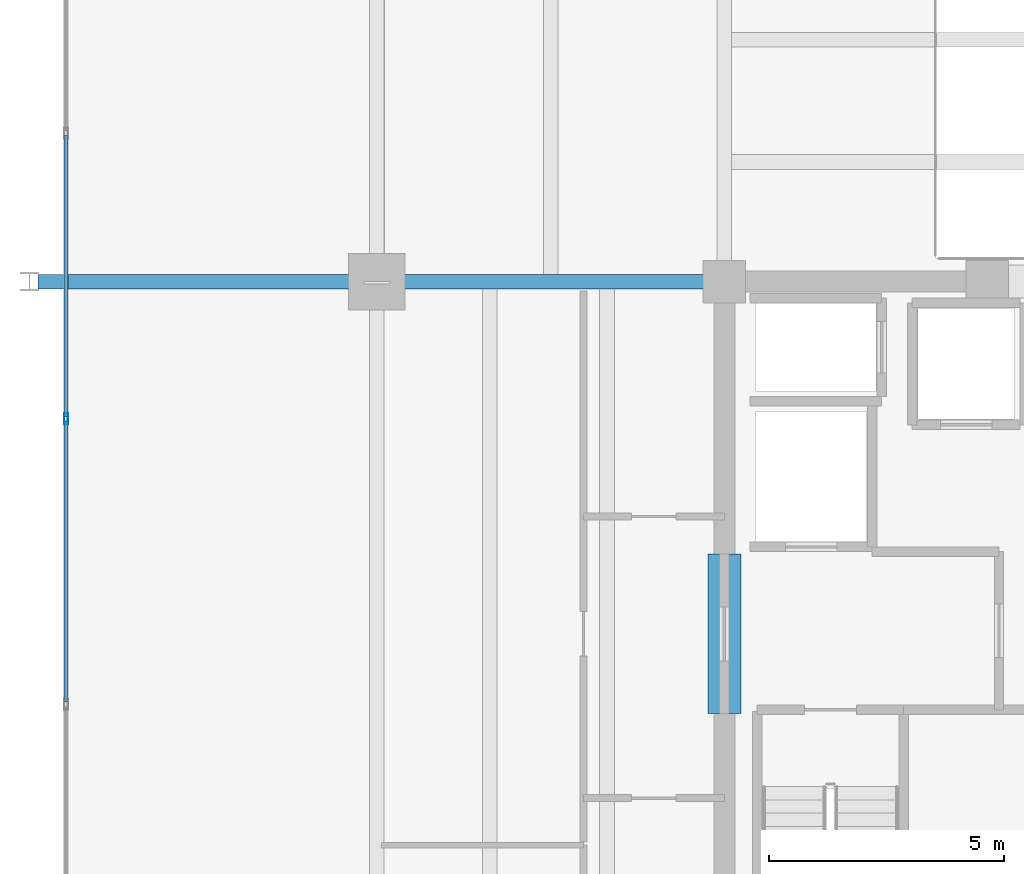
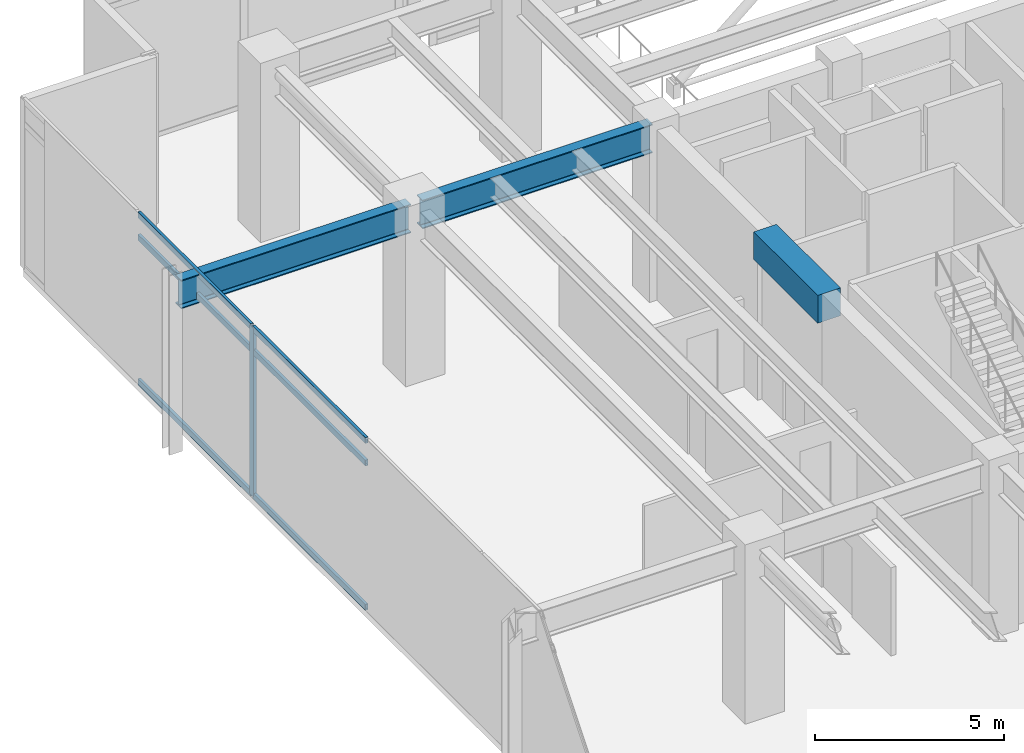
# One storey, part 7 of 25: 7 members, 3 beams, 1 element without a shape of its own.
"""IFC4 building model written with IfcOpenShell, lengths in metres."""

import ifcopenshell
import ifcopenshell.guid

model = None  # the IFC model being written
_history = None  # IfcOwnerHistory: only IFC2X3 demands one
_inside = {}  # id of a spatial element -> (the spatial element, [elements in it])
_under = {}  # id of a project, library or spatial element -> (it, [spatial elements below it])
_declared = {}  # id of a project -> (the project, [libraries it declares])
_typed = {}  # id of a type object -> (the type object, [elements of that type])
_made_of = {}  # id of a material, layer set ... -> (it, [elements and type objects made of it])


def new_model(schema):
    """Start an empty IFC model of exactly this schema.

    Asked for "IFC4X3", IfcOpenShell would pick the latest addendum, in which some entities
    have other attributes; the version numbers below select the first issue.
    IFC2X3 requires an IfcOwnerHistory on every rooted entity: one is made here for all.
    """
    global model, _history
    if schema == "IFC4X3":
        model = ifcopenshell.file(schema_version=(4, 3, 0, 0))
    else:
        model = ifcopenshell.file(schema=schema)
    _inside.clear()
    _under.clear()
    _declared.clear()
    _typed.clear()
    _made_of.clear()
    _history = None
    if model.schema == "IFC2X3":
        org = make("IfcOrganization", Name="unknown")
        user = make(
            "IfcPersonAndOrganization",
            ThePerson=make("IfcPerson", FamilyName="unknown"),
            TheOrganization=org,
        )
        app = make(
            "IfcApplication",
            ApplicationDeveloper=org,
            Version="unknown",
            ApplicationFullName="unknown",
            ApplicationIdentifier="unknown",
        )
        _history = make(
            "IfcOwnerHistory",
            OwningUser=user,
            OwningApplication=app,
            ChangeAction="ADDED",
            CreationDate=0,
        )
    return model


def make(cls, **values):
    """One entity of the class cls with the attributes given. An attribute that is None is left unset."""
    return model.create_entity(
        cls, **{name: value for name, value in values.items() if value is not None}
    )


def rooted(cls, **values):
    """An entity with a GlobalId (a new one), such as an element, a storey or a relation."""
    return make(cls, GlobalId=ifcopenshell.guid.new(), OwnerHistory=_history, **values)


def si_unit(unit_type, name, prefix=None):
    """IfcSIUnit, for example si_unit("LENGTHUNIT", "METRE", prefix="MILLI")."""
    return make("IfcSIUnit", UnitType=unit_type, Prefix=prefix, Name=name)


def assignment(units):
    """IfcUnitAssignment: the units of a project."""
    return None if units is None else make("IfcUnitAssignment", Units=units)


def point(xyz):
    """IfcCartesianPoint."""
    return None if xyz is None else make("IfcCartesianPoint", Coordinates=xyz)


def direction(xyz):
    """IfcDirection."""
    return None if xyz is None else make("IfcDirection", DirectionRatios=xyz)


def frame(location, z_axis=None, x_axis=None):
    """IfcAxis2Placement3D, a coordinate frame: its origin and axes. An axis left out is left unset."""
    return make(
        "IfcAxis2Placement3D",
        Location=point(location),
        Axis=direction(z_axis),
        RefDirection=direction(x_axis),
    )


def frame_2d(location, x_axis=None):
    """IfcAxis2Placement2D, a coordinate frame in the plane: its origin and x axis."""
    return make(
        "IfcAxis2Placement2D", Location=point(location), RefDirection=direction(x_axis)
    )


def origin():
    """The frame at (0, 0, 0) with its axes left unset."""
    return frame((0.0, 0.0, 0.0))


def origin_2d():
    """The frame at (0, 0) in the plane with its x axis left unset."""
    return frame_2d((0.0, 0.0))


def place(relative_to, where):
    """IfcLocalPlacement: puts the frame where relative to a parent placement (None: the world)."""
    return make(
        "IfcLocalPlacement", PlacementRelTo=relative_to, RelativePlacement=where
    )


def context(
    kind, dimensions, precision=None, world=None, true_north=None, identifier=None
):
    """IfcGeometricRepresentationContext, for example the 3D "Model" context."""
    return make(
        "IfcGeometricRepresentationContext",
        ContextIdentifier=identifier,
        ContextType=kind,
        CoordinateSpaceDimension=dimensions,
        Precision=precision,
        WorldCoordinateSystem=world,
        TrueNorth=true_north,
    )


def subcontext(parent, identifier, kind, view, scale=None):
    """IfcGeometricRepresentationSubContext, for example "Body" below "Model"."""
    return make(
        "IfcGeometricRepresentationSubContext",
        ContextIdentifier=identifier,
        ContextType=kind,
        ParentContext=parent,
        TargetScale=scale,
        TargetView=view,
    )


def project(units=None, contexts=None):
    """IfcProject with its units and contexts."""
    return rooted(
        "IfcProject",
        Name="project",
        RepresentationContexts=contexts,
        UnitsInContext=assignment(units),
    )


def spatial(cls, under=None, at=None, **own):
    """A site, building, storey or space (cls), placed at a placement, below another one or the project."""
    s = rooted(cls, ObjectPlacement=at, **own)
    if under is not None:
        _under.setdefault(under.id(), (under, []))[1].append(s)
    return s


def profile(cls, at=None, kind="AREA", **sizes):
    """A parametric profile (cls). Its sizes go by their IFC names, for example OverallWidth=200.0."""
    return make(cls, ProfileType=kind, Position=at, **sizes)


def rectangle(**sizes):
    """IfcRectangleProfileDef."""
    return profile("IfcRectangleProfileDef", **sizes)


def hollow_rectangle(**sizes):
    """IfcRectangleHollowProfileDef."""
    return profile("IfcRectangleHollowProfileDef", **sizes)


def i_section(**sizes):
    """IfcIShapeProfileDef."""
    return profile("IfcIShapeProfileDef", **sizes)


def extrude(swept, where, along, depth):
    """IfcExtrudedAreaSolid: the profile swept, set in the frame where, extruded along a direction by depth."""
    return make(
        "IfcExtrudedAreaSolid",
        SweptArea=swept,
        Position=where,
        ExtrudedDirection=direction(along),
        Depth=depth,
    )


def shape(context_of_items, identifier, shape_type, items):
    """IfcShapeRepresentation: the items that make up one representation, for example the "Body"."""
    return make(
        "IfcShapeRepresentation",
        ContextOfItems=context_of_items,
        RepresentationIdentifier=identifier,
        RepresentationType=shape_type,
        Items=items,
    )


def material(Name=None, Category=None):
    """IfcMaterial."""
    return make("IfcMaterial", Name=Name, Category=Category)


def material_profile(
    of_material, cross_section, Name=None, Category=None, Priority=None
):
    """IfcMaterialProfile: a cross section and its material."""
    return make(
        "IfcMaterialProfile",
        Name=Name,
        Material=of_material,
        Profile=cross_section,
        Priority=Priority,
        Category=Category,
    )


def profile_set(profiles, Name=None, composite=None):
    """IfcMaterialProfileSet."""
    return make(
        "IfcMaterialProfileSet",
        Name=Name,
        MaterialProfiles=profiles,
        CompositeProfile=composite,
    )


def made_of(thing, what):
    """Note that an element or type object is made of a material, layer set ...; save() writes the relation."""
    if what is not None:
        _made_of.setdefault(what.id(), (what, []))[1].append(thing)
    return thing


def type_object(cls, material=None, **own):
    """A type object (cls), such as IfcWallType, which elements share."""
    return made_of(rooted(cls, **own), material)


def element(
    cls,
    number,
    at=None,
    inside=None,
    cuts=None,
    type_object=None,
    material=None,
    context=None,
    identifier="Body",
    shape_type=None,
    held_by="IfcProductDefinitionShape",
    body=None,
    shapes=None,
    **own,
):
    """One element of the class cls, such as IfcWall. Its Tag is "e" and its number.

    at: its placement. inside: the storey or other place that contains it. cuts: it is an
    opening in that element (IfcRelVoidsElement). A single representation is given by context,
    identifier, shape_type and body (its items); several are given by shapes. held_by: the class
    of the entity that holds the representations. save() writes the other relations.
    """
    e = rooted(cls, Tag="e%d" % number, ObjectPlacement=at, **own)
    if body is not None:
        shapes = [shape(context, identifier, shape_type, body)]
    if shapes is not None:
        e.Representation = make(held_by, Representations=shapes)
    if inside is not None:
        _inside.setdefault(inside.id(), (inside, []))[1].append(e)
    if cuts is not None:
        rooted(
            "IfcRelVoidsElement", RelatingBuildingElement=cuts, RelatedOpeningElement=e
        )
    if type_object is not None:
        _typed.setdefault(type_object.id(), (type_object, []))[1].append(e)
    return made_of(e, material)


def aggregate(whole, parts):
    """IfcRelAggregates: a whole, such as a stair, and the parts it consists of."""
    return rooted("IfcRelAggregates", RelatingObject=whole, RelatedObjects=parts)


def save(model, path):
    """Write the relations noted so far, then the file.

    IfcRelAggregates (storeys below a building ...), IfcRelContainedInSpatialStructure (elements
    in a storey), IfcRelDefinesByType, IfcRelAssociatesMaterial and IfcRelDeclares: one each for
    every whole, place, type object, material and project.
    """
    for whole, parts in _under.values():
        aggregate(whole, parts)
    for where, things in _inside.values():
        rooted(
            "IfcRelContainedInSpatialStructure",
            RelatedElements=things,
            RelatingStructure=where,
        )
    for kind, things in _typed.values():
        rooted("IfcRelDefinesByType", RelatedObjects=things, RelatingType=kind)
    for what, things in _made_of.values():
        rooted("IfcRelAssociatesMaterial", RelatedObjects=things, RelatingMaterial=what)
    for by, libraries in _declared.values():
        rooted("IfcRelDeclares", RelatingContext=by, RelatedDefinitions=libraries)
    model.write(path)


model = new_model("IFC4")

# Units and contexts
model_context = context("Model", 3, precision=1e-05, world=origin(), true_north=direction((0.0, 1.0)))
body_context = subcontext(model_context, "Body", "Model", "MODEL_VIEW")
ifc_project = project(units=[si_unit("LENGTHUNIT", "METRE"), si_unit("AREAUNIT", "SQUARE_METRE"), si_unit("VOLUMEUNIT", "CUBIC_METRE"), si_unit("PLANEANGLEUNIT", "RADIAN"), si_unit("MASSUNIT", "GRAM", prefix="KILO")], contexts=[model_context])

# Site, building, storey
site_placement = place(None, origin())
site = spatial("IfcSite", under=ifc_project, at=site_placement, CompositionType="ELEMENT")
building_placement = place(site_placement, origin())
building = spatial("IfcBuilding", under=site, at=building_placement, Name="Kovane Verandah Tower", CompositionType="ELEMENT")
storey_placement = place(building_placement, frame((0.0, 0.0, 295.199951171875)))
storey = spatial("IfcBuildingStorey", under=building, at=storey_placement, Name="L69", CompositionType="ELEMENT", Elevation=295.199951171875)

# Beams
ifc_material_1 = material(Name="Concrete C60/75", Category="concrete")
ifc_material_profile_1 = material_profile(ifc_material_1, rectangle(XDim=0.699951171875, YDim=0.89990234375, at=origin_2d()), Name="RCB700x900")
ifc_profile_set_1 = profile_set([ifc_material_profile_1], Name="Concrete C60/75")
beam_type_1 = type_object("IfcBeamType", Name="BM-LINTEL-700x900", PredefinedType="LINTEL", material=ifc_profile_set_1)
beam_placement = place(storey_placement, frame((29.0, 27.300048828125, 5.050048828125), z_axis=(0.0, 1.0, 0.0), x_axis=(-1.0, 0.0, 0.0)))
element("IfcBeam", 1, at=beam_placement, inside=storey, type_object=beam_type_1, Name="L69 Core Coupling Lintel CL-W", PredefinedType="LINTEL", context=body_context, shape_type="SweptSolid", body=[
    extrude(rectangle(XDim=0.699951171875, YDim=0.89990234375, at=origin_2d()), origin(), (0.0, 0.0, 1.0), 3.39990234375),
])
ifc_material_2 = material(Name="Steel S460", Category="steel")
ifc_material_profile_2 = material_profile(ifc_material_2, i_section(OverallWidth=0.3076171875, OverallDepth=0.926513671875, WebThickness=0.01953125, FlangeThickness=0.031982421875, FilletRadius=0.01904296875, at=origin_2d()), Name="UB914x305x289")
ifc_profile_set_2 = profile_set([ifc_material_profile_2], Name="Steel S460")
beam_type_2 = type_object("IfcBeamType", Name="BM-UB914x289", PredefinedType="BEAM", material=ifc_profile_set_2)
for number, where, z_axis, x_axis, name in (
    (2, (28.820068359375, 36.5, 5.036865234375), (-1.0, 0.0, 0.0), (0.0, -1.0, 0.0), "L69 Primary Tower Girder G-W2"),
    (3, (21.419921875, 36.5, 5.036865234375), (-1.0, 0.0, 0.0), (0.0, -1.0, 0.0), "L69 Primary Tower Girder G-VW2"),
):
    element("IfcBeam", number, at=place(storey_placement, frame(where, z_axis=z_axis, x_axis=x_axis)), inside=storey, type_object=beam_type_2, Name=name, PredefinedType="BEAM", context=body_context, shape_type="SweptSolid", body=[
        extrude(i_section(OverallWidth=0.3076171875, OverallDepth=0.926513671875, WebThickness=0.01953125, FlangeThickness=0.031982421875, FilletRadius=0.01904296875, at=origin_2d()), origin(), (0.0, 0.0, 1.0), 7.0400390625),
    ])

# Curtain wall, members
ifc_material_3 = material(Name="Champagne Anodised Aluminium Frame with Low-E Clear Laminated Glass", Category="aluminium")
curtain_wall_type = type_object("IfcCurtainWallType", Name="CW-SYS-05-HIGH", PredefinedType="NOTDEFINED", material=ifc_material_3)
curtain_wall_placement = place(storey_placement, origin())
curtain_wall = element("IfcCurtainWall", 4, at=curtain_wall_placement, inside=storey, type_object=curtain_wall_type, Name="L69 W Unitised Curtain Wall", PredefinedType="NOTDEFINED")
ifc_material_4 = material(Name="Champagne Anodised Aluminium 6063-T6", Category="aluminium")
ifc_material_profile_3 = material_profile(ifc_material_4, hollow_rectangle(XDim=0.0849609375, YDim=0.22998046875, WallThickness=0.00390625, at=origin_2d()), Name="AL85x230x4")
ifc_profile_set_3 = profile_set([ifc_material_profile_3], Name="Champagne Anodised Aluminium 6063-T6")
member_type_1 = type_object("IfcMemberType", Name="CW-MUL-85x230", PredefinedType="MULLION", material=ifc_profile_set_3)
member_1_placement = place(storey_placement, frame((14.982177734375, 33.58056640625, 0.02001953125), z_axis=(0.0, 0.0, 1.0), x_axis=(-1.0, 0.0, 0.0)))
member_1 = element("IfcMember", 5, at=member_1_placement, type_object=member_type_1, Name="L69 W Unitised Curtain Wall Mullion 3", PredefinedType="MULLION", context=body_context, shape_type="SweptSolid", body=[
    extrude(hollow_rectangle(XDim=0.0849609375, YDim=0.22998046875, WallThickness=0.00390625, at=origin_2d()), origin(), (0.0, 0.0, 1.0), 5.4599609375),
])
ifc_material_profile_4 = material_profile(ifc_material_4, hollow_rectangle(XDim=0.0849609375, YDim=0.18994140625, WallThickness=0.00390625, at=origin_2d()), Name="AL85x190x4")
ifc_profile_set_4 = profile_set([ifc_material_profile_4], Name="Champagne Anodised Aluminium 6063-T6")
member_type_2 = type_object("IfcMemberType", Name="CW-TRN-85x190", PredefinedType="USERDEFINED", material=ifc_profile_set_4)
member_2_placement = place(storey_placement, frame((14.982177734375, 39.611083984375, 0.050048828125), z_axis=(0.0, -1.0, 0.0), x_axis=(1.0, 0.0, 0.0)))
member_2 = element("IfcMember", 6, at=member_2_placement, type_object=member_type_2, Name="L69 W Unitised Curtain Wall Transom TB Bay 2", ObjectType="TRANSOM", PredefinedType="USERDEFINED", context=body_context, shape_type="SweptSolid", body=[
    extrude(hollow_rectangle(XDim=0.0849609375, YDim=0.18994140625, WallThickness=0.00390625, at=origin_2d()), origin(), (0.0, 0.0, 1.0), 5.98046875),
])
member_3_placement = place(storey_placement, frame((14.982177734375, 39.611083984375, 4.719970703125), z_axis=(0.0, -1.0, 0.0), x_axis=(1.0, 0.0, 0.0)))
member_3 = element("IfcMember", 7, at=member_3_placement, type_object=member_type_2, Name="L69 W Unitised Curtain Wall Transom TM Bay 2", ObjectType="TRANSOM", PredefinedType="USERDEFINED", context=body_context, shape_type="SweptSolid", body=[
    extrude(hollow_rectangle(XDim=0.0849609375, YDim=0.18994140625, WallThickness=0.00390625, at=origin_2d()), origin(), (0.0, 0.0, 1.0), 5.98046875),
])
member_4_placement = place(storey_placement, frame((14.982177734375, 39.611083984375, 5.449951171875), z_axis=(0.0, -1.0, 0.0), x_axis=(1.0, 0.0, 0.0)))
member_4 = element("IfcMember", 8, at=member_4_placement, type_object=member_type_2, Name="L69 W Unitised Curtain Wall Transom TT Bay 2", ObjectType="TRANSOM", PredefinedType="USERDEFINED", context=body_context, shape_type="SweptSolid", body=[
    extrude(hollow_rectangle(XDim=0.0849609375, YDim=0.18994140625, WallThickness=0.00390625, at=origin_2d()), origin(), (0.0, 0.0, 1.0), 5.98046875),
])
member_5_placement = place(storey_placement, frame((14.982177734375, 33.530517578125, 0.050048828125), z_axis=(0.0, -1.0, 0.0), x_axis=(1.0, 0.0, 0.0)))
member_5 = element("IfcMember", 9, at=member_5_placement, type_object=member_type_2, Name="L69 W Unitised Curtain Wall Transom TB Bay 3", ObjectType="TRANSOM", PredefinedType="USERDEFINED", context=body_context, shape_type="SweptSolid", body=[
    extrude(hollow_rectangle(XDim=0.0849609375, YDim=0.18994140625, WallThickness=0.00390625, at=origin_2d()), origin(), (0.0, 0.0, 1.0), 5.98046875),
])
member_6_placement = place(storey_placement, frame((14.982177734375, 33.530517578125, 4.719970703125), z_axis=(0.0, -1.0, 0.0), x_axis=(1.0, 0.0, 0.0)))
member_6 = element("IfcMember", 10, at=member_6_placement, type_object=member_type_2, Name="L69 W Unitised Curtain Wall Transom TM Bay 3", ObjectType="TRANSOM", PredefinedType="USERDEFINED", context=body_context, shape_type="SweptSolid", body=[
    extrude(hollow_rectangle(XDim=0.0849609375, YDim=0.18994140625, WallThickness=0.00390625, at=origin_2d()), origin(), (0.0, 0.0, 1.0), 5.98046875),
])
member_7_placement = place(storey_placement, frame((14.982177734375, 33.530517578125, 5.449951171875), z_axis=(0.0, -1.0, 0.0), x_axis=(1.0, 0.0, 0.0)))
member_7 = element("IfcMember", 11, at=member_7_placement, type_object=member_type_2, Name="L69 W Unitised Curtain Wall Transom TT Bay 3", ObjectType="TRANSOM", PredefinedType="USERDEFINED", context=body_context, shape_type="SweptSolid", body=[
    extrude(hollow_rectangle(XDim=0.0849609375, YDim=0.18994140625, WallThickness=0.00390625, at=origin_2d()), origin(), (0.0, 0.0, 1.0), 5.98046875),
])
aggregate(curtain_wall, [member_1, member_2, member_3, member_4, member_5, member_6, member_7])

save(model, "model.ifc")
